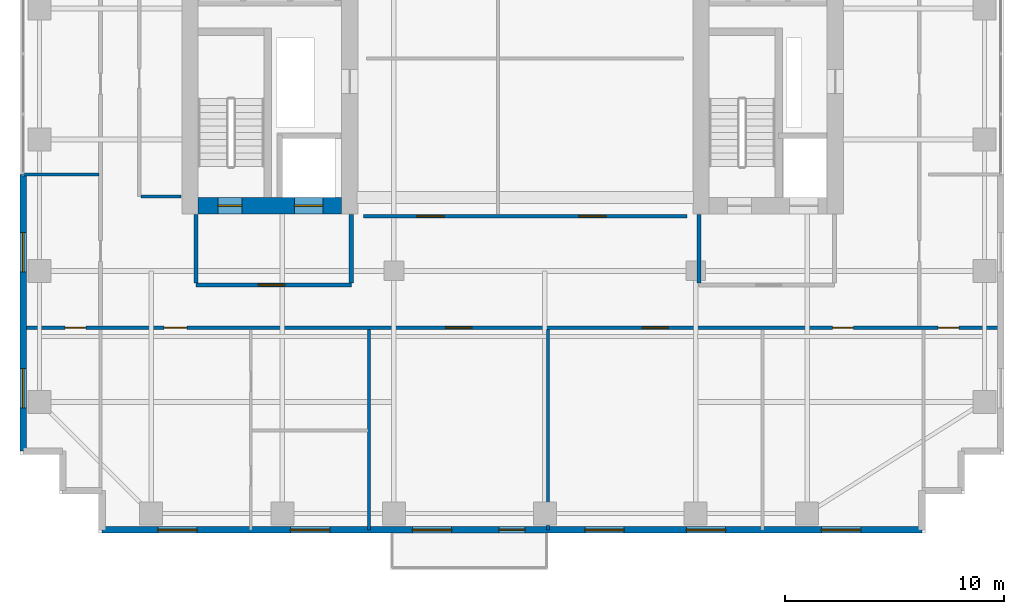
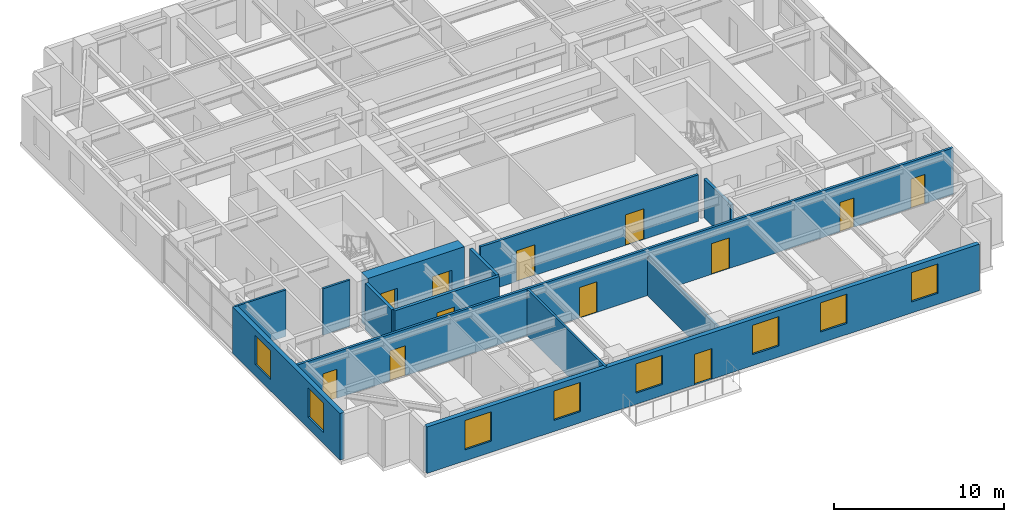
# One storey, part 8 of 14: 13 walls, 12 doors, 8 windows, 20 openings.
"""IFC4 building model written with IfcOpenShell, lengths in metres."""

from ifc_helpers import new_model, si_unit, direction, frame, frame_2d, origin, place, context, subcontext, project, spatial, rectangle, extrude, source, transform, mapped, material, layer, layer_set, type_object, element, fill, save


model = new_model("IFC4")

# Units and contexts
model_context = context("Model", 3, precision=1e-05, world=origin(), true_north=direction((0.0, 1.0)))
body_context = subcontext(model_context, "Body", "Model", "MODEL_VIEW")
ifc_project = project(units=[si_unit("LENGTHUNIT", "METRE"), si_unit("AREAUNIT", "SQUARE_METRE"), si_unit("VOLUMEUNIT", "CUBIC_METRE"), si_unit("PLANEANGLEUNIT", "RADIAN"), si_unit("MASSUNIT", "GRAM", prefix="KILO")], contexts=[model_context])

# Site, building, storey
site_placement = place(None, origin())
site = spatial("IfcSite", under=ifc_project, at=site_placement, CompositionType="ELEMENT")
building_placement = place(site_placement, origin())
building = spatial("IfcBuilding", under=site, at=building_placement, Name="Khoralis Quay Care Tower", CompositionType="ELEMENT")
storey_placement = place(building_placement, frame((0.0, 0.0, 108.89990234375)))
storey = spatial("IfcBuildingStorey", under=building, at=storey_placement, Name="L28", CompositionType="ELEMENT", Elevation=108.89990234375)

# Wall, opening, door
ifc_material_1 = material(Name="Gypsum plasterboard on acoustic metal stud")
ifc_layer_1 = layer(ifc_material_1, 0.199951171875)
ifc_layer_set_1 = layer_set([ifc_layer_1], Name="Gypsum plasterboard on acoustic metal stud")
wall_type_1 = type_object("IfcWallType", Name="WL-COMP-200", PredefinedType="PARTITIONING", material=ifc_layer_set_1)
wall_1_placement = place(storey_placement, frame((8.050048828125, 11.35009765625, 0.0), z_axis=(0.0, 0.0, 1.0), x_axis=(1.0, 0.0, 0.0)))
wall_1 = element("IfcWall", 1, at=wall_1_placement, inside=storey, type_object=wall_type_1, Name="L28 West Firefighting Lobby South Wall", PredefinedType="PARTITIONING", context=body_context, shape_type="SweptSolid", body=[
    extrude(rectangle(XDim=7.099853515625, YDim=0.199951171875, at=frame_2d((3.5498046875, 0.0))), origin(), (0.0, 0.0, 1.0), 3.340087890625),
])
opening_1_placement = place(wall_1_placement, frame((2.846435546875, 0.0, 0.0)))
opening_1 = element("IfcOpeningElement", 2, at=opening_1_placement, cuts=wall_1, Name="Opening FD1", PredefinedType="OPENING", context=body_context, shape_type="SweptSolid", body=[
    extrude(rectangle(XDim=1.199951171875, YDim=2.199951171875, at=frame_2d((0.60009765625, 1.10009765625))), frame((0.0, 0.10986328125, 0.0), z_axis=(0.0, -1.0, 0.0), x_axis=(1.0, 0.0, 0.0)), (0.0, 0.0, 1.0), 0.219970703125),
])
ifc_material_2 = material(Name="Fire-rated painted steel", Category="steel")
door_type_1 = type_object("IfcDoorType", Name="DR-FFL-1200X2200", OperationType="NOTDEFINED", PredefinedType="DOOR", material=ifc_material_2)
shared_shape_1 = source(origin(), body_context, "Body", "SweptSolid", [
    extrude(rectangle(XDim=1.199951171875, YDim=2.199951171875, at=frame_2d((0.60009765625, 1.10009765625))), frame((0.0, 0.02490234375, 0.0), z_axis=(0.0, -1.0, 0.0), x_axis=(1.0, 0.0, 0.0)), (0.0, 0.0, 1.0), 0.050048828125),
])
door_1_placement = place(opening_1_placement, origin())
door_1 = element("IfcDoor", 3, at=door_1_placement, inside=storey, type_object=door_type_1, Name="L28 West Firefighting Lobby Fire Door", OperationType="SINGLE_SWING_RIGHT", OverallHeight=2.199951171875, OverallWidth=1.199951171875, PredefinedType="DOOR", context=body_context, shape_type="MappedRepresentation", body=[
    mapped(shared_shape_1, transform((0.0, 0.0, 0.0), scale=1.0)),
])
fill(opening_1, door_1)

# Walls
for number, where, z_axis, x_axis, name in (
    (4, (8.050048828125, 11.445068359375, 0.0), (0.0, 0.0, 1.0), (0.0, 1.0, 0.0), "L28 West Firefighting Lobby West Wall"),
    (5, (15.14990234375, 11.445068359375, 0.0), (0.0, 0.0, 1.0), (0.0, 1.0, 0.0), "L28 West Firefighting Lobby East Wall"),
):
    element("IfcWall", number, at=place(storey_placement, frame(where, z_axis=z_axis, x_axis=x_axis)), inside=storey, type_object=wall_type_1, Name=name, PredefinedType="PARTITIONING", context=body_context, shape_type="SweptSolid", body=[
        extrude(rectangle(XDim=3.135009765625, YDim=0.199951171875, at=frame_2d((1.5673828125, 0.0))), origin(), (0.0, 0.0, 1.0), 3.340087890625),
    ])
wall_2_placement = place(storey_placement, frame((31.050048828125, 11.445068359375, 0.0), z_axis=(0.0, 0.0, 1.0), x_axis=(0.0, 1.0, 0.0)))
element("IfcWall", 6, at=wall_2_placement, inside=storey, type_object=wall_type_1, Name="L28 East Firefighting Lobby West Wall", PredefinedType="PARTITIONING", context=body_context, shape_type="SweptSolid", body=[
    extrude(rectangle(XDim=3.135009765625, YDim=0.199951171875, at=frame_2d((1.5673828125, 0.0))), origin(), (0.0, 0.0, 1.0), 2.796142578125),
])

# Wall, openings, doors
ifc_material_3 = material(Name="Concrete C80/95", Category="concrete")
ifc_layer_2 = layer(ifc_material_3, 0.75)
ifc_layer_set_2 = layer_set([ifc_layer_2], Name="Concrete C80/95")
wall_type_2 = type_object("IfcWallType", Name="WL-CORE-750", PredefinedType="SHEAR", material=ifc_layer_set_2)
wall_3_placement = place(storey_placement, frame((8.14990234375, 14.97509765625, 0.0), z_axis=(0.0, 0.0, 1.0), x_axis=(1.0, 0.0, 0.0)))
wall_3 = element("IfcWall", 7, at=wall_3_placement, inside=storey, type_object=wall_type_2, Name="L28 WCORE South Shear Wall", PredefinedType="SHEAR", context=body_context, shape_type="SweptSolid", body=[
    extrude(rectangle(XDim=6.550048828125, YDim=0.75, at=frame_2d((3.27490234375, 0.0))), origin(), (0.0, 0.0, 1.0), 3.60009765625),
])
opening_2_placement = place(wall_3_placement, frame((0.89990234375, 0.0, 0.0)))
opening_2 = element("IfcOpeningElement", 8, at=opening_2_placement, cuts=wall_3, Name="Opening SD1", PredefinedType="OPENING", context=body_context, shape_type="SweptSolid", body=[
    extrude(rectangle(XDim=1.10009765625, YDim=2.199951171875, at=frame_2d((0.550048828125, 1.10009765625))), frame((0.0, 0.385009765625, 0.0), z_axis=(0.0, -1.0, 0.0), x_axis=(1.0, 0.0, 0.0)), (0.0, 0.0, 1.0), 0.77001953125),
])
opening_3_placement = place(wall_3_placement, frame((4.39990234375, 0.0, 0.0)))
opening_3 = element("IfcOpeningElement", 9, at=opening_3_placement, cuts=wall_3, Name="Opening LD2", PredefinedType="OPENING", context=body_context, shape_type="SweptSolid", body=[
    extrude(rectangle(XDim=1.300048828125, YDim=2.199951171875, at=frame_2d((0.64990234375, 1.10009765625))), frame((0.0, 0.385009765625, 0.0), z_axis=(0.0, -1.0, 0.0), x_axis=(1.0, 0.0, 0.0)), (0.0, 0.0, 1.0), 0.77001953125),
])
door_type_2 = type_object("IfcDoorType", Name="DR-STAIR-1100X2200", OperationType="NOTDEFINED", PredefinedType="DOOR", material=ifc_material_2)
shared_shape_2 = source(origin(), body_context, "Body", "SweptSolid", [
    extrude(rectangle(XDim=1.10009765625, YDim=2.199951171875, at=frame_2d((0.550048828125, 1.10009765625))), frame((0.0, 0.02490234375, 0.0), z_axis=(0.0, -1.0, 0.0), x_axis=(1.0, 0.0, 0.0)), (0.0, 0.0, 1.0), 0.050048828125),
])
door_2_placement = place(opening_2_placement, origin())
door_2 = element("IfcDoor", 10, at=door_2_placement, inside=storey, type_object=door_type_2, Name="L28 Stair ST-T1 Fire Door", OperationType="SINGLE_SWING_RIGHT", OverallHeight=2.199951171875, OverallWidth=1.10009765625, PredefinedType="DOOR", context=body_context, shape_type="MappedRepresentation", body=[
    mapped(shared_shape_2, transform((0.0, 0.0, 0.0), scale=1.0)),
])
fill(opening_2, door_2)
ifc_material_4 = material(Name="Brushed stainless steel", Category="steel")
door_type_3 = type_object("IfcDoorType", Name="DR-LIFT-1300X2200", OperationType="SLIDING_TO_RIGHT", PredefinedType="DOOR", material=ifc_material_4)
shared_shape_3 = source(origin(), body_context, "Body", "SweptSolid", [
    extrude(rectangle(XDim=1.300048828125, YDim=2.199951171875, at=frame_2d((0.64990234375, 1.10009765625))), frame((0.0, 0.02490234375, 0.0), z_axis=(0.0, -1.0, 0.0), x_axis=(1.0, 0.0, 0.0)), (0.0, 0.0, 1.0), 0.050048828125),
])
door_3_placement = place(opening_3_placement, origin())
door_3 = element("IfcDoor", 11, at=door_3_placement, inside=storey, type_object=door_type_3, Name="L28 Firefighting Lift FFL-1 Landing Door", OperationType="SLIDING_TO_RIGHT", OverallHeight=2.199951171875, OverallWidth=1.300048828125, PredefinedType="DOOR", context=body_context, shape_type="MappedRepresentation", body=[
    mapped(shared_shape_3, transform((0.0, 0.0, 0.0), scale=1.0)),
])
fill(opening_3, door_3)

ifc_layer_3 = layer(ifc_material_1, 0.1650390625)
ifc_layer_set_3 = layer_set([ifc_layer_3], Name="Gypsum plasterboard on acoustic metal stud")
wall_type_3 = type_object("IfcWallType", Name="WL-CORR-165", PredefinedType="PARTITIONING", material=ifc_layer_set_3)
wall_4_placement = place(storey_placement, frame((0.14501953125, 9.39990234375, 0.0), z_axis=(0.0, 0.0, 1.0), x_axis=(1.0, 0.0, 0.0)))
wall_4 = element("IfcWall", 12, at=wall_4_placement, inside=storey, type_object=wall_type_3, Name="L28 South Main Corridor Wall", PredefinedType="PARTITIONING", context=body_context, shape_type="SweptSolid", body=[
    extrude(rectangle(XDim=44.7099609375, YDim=0.1650390625, at=frame_2d((22.35498046875, 0.0))), origin(), (0.0, 0.0, 1.0), 3.340087890625),
])
opening_4_placement = place(wall_4_placement, frame((6.450927734375, 0.0, 0.0)))
opening_4 = element("IfcOpeningElement", 13, at=opening_4_placement, cuts=wall_4, Name="Opening UD1", PredefinedType="OPENING", context=body_context, shape_type="SweptSolid", body=[
    extrude(rectangle(XDim=1.050048828125, YDim=2.14990234375, at=frame_2d((0.52490234375, 1.074951171875))), frame((0.0, 0.092529296875, 0.0), z_axis=(0.0, -1.0, 0.0), x_axis=(1.0, 0.0, 0.0)), (0.0, 0.0, 1.0), 0.18505859375),
])
opening_5_placement = place(wall_4_placement, frame((19.31494140625, 0.0, 0.0)))
opening_5 = element("IfcOpeningElement", 14, at=opening_5_placement, cuts=wall_4, Name="Opening FD1", PredefinedType="OPENING", context=body_context, shape_type="SweptSolid", body=[
    extrude(rectangle(XDim=1.199951171875, YDim=2.199951171875, at=frame_2d((0.60009765625, 1.10009765625))), frame((0.0, 0.092529296875, 0.0), z_axis=(0.0, -1.0, 0.0), x_axis=(1.0, 0.0, 0.0)), (0.0, 0.0, 1.0), 0.18505859375),
])
opening_6_placement = place(wall_4_placement, frame((28.304931640625, 0.0, 0.0)))
opening_6 = element("IfcOpeningElement", 15, at=opening_6_placement, cuts=wall_4, Name="Opening FD1", PredefinedType="OPENING", context=body_context, shape_type="SweptSolid", body=[
    extrude(rectangle(XDim=1.199951171875, YDim=2.199951171875, at=frame_2d((0.60009765625, 1.10009765625))), frame((0.0, 0.092529296875, 0.0), z_axis=(0.0, -1.0, 0.0), x_axis=(1.0, 0.0, 0.0)), (0.0, 0.0, 1.0), 0.18505859375),
])
opening_7_placement = place(wall_4_placement, frame((37.014892578125, 0.0, 0.0)))
opening_7 = element("IfcOpeningElement", 16, at=opening_7_placement, cuts=wall_4, Name="Opening ID1", PredefinedType="OPENING", context=body_context, shape_type="SweptSolid", body=[
    extrude(rectangle(XDim=0.949951171875, YDim=2.10009765625, at=frame_2d((0.47509765625, 1.050048828125))), frame((0.0, 0.092529296875, 0.0), z_axis=(0.0, -1.0, 0.0), x_axis=(1.0, 0.0, 0.0)), (0.0, 0.0, 1.0), 0.18505859375),
])
opening_8_placement = place(wall_4_placement, frame((1.919921875, 0.0, 0.0)))
opening_8 = element("IfcOpeningElement", 17, at=opening_8_placement, cuts=wall_4, Name="Opening ID1", PredefinedType="OPENING", context=body_context, shape_type="SweptSolid", body=[
    extrude(rectangle(XDim=0.949951171875, YDim=2.10009765625, at=frame_2d((0.47509765625, 1.050048828125))), frame((0.0, 0.092529296875, 0.0), z_axis=(0.0, -1.0, 0.0), x_axis=(1.0, 0.0, 0.0)), (0.0, 0.0, 1.0), 0.18505859375),
])
opening_9_placement = place(wall_4_placement, frame((41.840087890625, 0.0, 0.0)))
opening_9 = element("IfcOpeningElement", 18, at=opening_9_placement, cuts=wall_4, Name="Opening ID1", PredefinedType="OPENING", context=body_context, shape_type="SweptSolid", body=[
    extrude(rectangle(XDim=0.949951171875, YDim=2.10009765625, at=frame_2d((0.47509765625, 1.050048828125))), frame((0.0, 0.092529296875, 0.0), z_axis=(0.0, -1.0, 0.0), x_axis=(1.0, 0.0, 0.0)), (0.0, 0.0, 1.0), 0.18505859375),
])
door_4_placement = place(opening_5_placement, frame((1.199951171875, 0.0, 0.0), z_axis=(0.0, 0.0, 1.0), x_axis=(-1.0, 0.0, 0.0)))
door_4 = element("IfcDoor", 19, at=door_4_placement, inside=storey, type_object=door_type_1, Name="L28 Assisted Communal Dining Room Door", OperationType="DOUBLE_DOOR_SINGLE_SWING", OverallHeight=2.199951171875, OverallWidth=1.199951171875, PredefinedType="DOOR", context=body_context, shape_type="MappedRepresentation", body=[
    mapped(shared_shape_1, transform((0.0, 0.0, 0.0), scale=1.0)),
])
fill(opening_5, door_4)
door_5_placement = place(opening_6_placement, frame((1.199951171875, 0.0, 0.0), z_axis=(0.0, 0.0, 1.0), x_axis=(-1.0, 0.0, 0.0)))
door_5 = element("IfcDoor", 20, at=door_5_placement, inside=storey, type_object=door_type_1, Name="L28 Senior Wellness Pharmacy Shop Door", OperationType="DOUBLE_DOOR_SINGLE_SWING", OverallHeight=2.199951171875, OverallWidth=1.199951171875, PredefinedType="DOOR", context=body_context, shape_type="MappedRepresentation", body=[
    mapped(shared_shape_1, transform((0.0, 0.0, 0.0), scale=1.0)),
])
fill(opening_6, door_5)
ifc_material_5 = material(Name="Acoustic hardwood timber", Category="wood")
door_type_4 = type_object("IfcDoorType", Name="DR-ROOM-950X2100", OperationType="NOTDEFINED", PredefinedType="DOOR", material=ifc_material_5)
shared_shape_4 = source(origin(), body_context, "Body", "SweptSolid", [
    extrude(rectangle(XDim=0.949951171875, YDim=2.10009765625, at=frame_2d((0.47509765625, 1.050048828125))), frame((0.0, 0.02490234375, 0.0), z_axis=(0.0, -1.0, 0.0), x_axis=(1.0, 0.0, 0.0)), (0.0, 0.0, 1.0), 0.050048828125),
])
door_6_placement = place(opening_7_placement, frame((0.949951171875, 0.0, 0.0), z_axis=(0.0, 0.0, 1.0), x_axis=(-1.0, 0.0, 0.0)))
door_6 = element("IfcDoor", 21, at=door_6_placement, inside=storey, type_object=door_type_4, Name="L28 Care Coordination Office Door", OperationType="SINGLE_SWING_RIGHT", OverallHeight=2.10009765625, OverallWidth=0.949951171875, PredefinedType="DOOR", context=body_context, shape_type="MappedRepresentation", body=[
    mapped(shared_shape_4, transform((0.0, 0.0, 0.0), scale=1.0)),
])
fill(opening_7, door_6)
door_7_placement = place(opening_8_placement, frame((0.949951171875, 0.0, 0.0), z_axis=(0.0, 0.0, 1.0), x_axis=(-1.0, 0.0, 0.0)))
door_7 = element("IfcDoor", 22, at=door_7_placement, inside=storey, type_object=door_type_4, Name="L28 SW Corner Door", OperationType="SINGLE_SWING_LEFT", OverallHeight=2.10009765625, OverallWidth=0.949951171875, PredefinedType="DOOR", context=body_context, shape_type="MappedRepresentation", body=[
    mapped(shared_shape_4, transform((0.0, 0.0, 0.0), scale=1.0)),
])
fill(opening_8, door_7)
door_8_placement = place(opening_9_placement, frame((0.949951171875, 0.0, 0.0), z_axis=(0.0, 0.0, 1.0), x_axis=(-1.0, 0.0, 0.0)))
door_8 = element("IfcDoor", 23, at=door_8_placement, inside=storey, type_object=door_type_4, Name="L28 SE Corner Door", OperationType="SINGLE_SWING_RIGHT", OverallHeight=2.10009765625, OverallWidth=0.949951171875, PredefinedType="DOOR", context=body_context, shape_type="MappedRepresentation", body=[
    mapped(shared_shape_4, transform((0.0, 0.0, 0.0), scale=1.0)),
])
fill(opening_9, door_8)
door_type_5 = type_object("IfcDoorType", Name="DR-SUITE-1050X2150", OperationType="NOTDEFINED", PredefinedType="DOOR", material=ifc_material_5)
shared_shape_5 = source(origin(), body_context, "Body", "SweptSolid", [
    extrude(rectangle(XDim=1.050048828125, YDim=2.14990234375, at=frame_2d((0.52490234375, 1.074951171875))), frame((0.0, 0.02490234375, 0.0), z_axis=(0.0, -1.0, 0.0), x_axis=(1.0, 0.0, 0.0)), (0.0, 0.0, 1.0), 0.050048828125),
])
door_9_placement = place(opening_4_placement, frame((1.050048828125, 0.0, 0.0), z_axis=(0.0, 0.0, 1.0), x_axis=(-1.0, 0.0, 0.0)))
door_9 = element("IfcDoor", 24, at=door_9_placement, inside=storey, type_object=door_type_5, Name="L28 Studio SB0 Entrance", OperationType="SINGLE_SWING_RIGHT", OverallHeight=2.14990234375, OverallWidth=1.050048828125, PredefinedType="DOOR", context=body_context, shape_type="MappedRepresentation", body=[
    mapped(shared_shape_5, transform((0.0, 0.0, 0.0), scale=1.0)),
])
fill(opening_4, door_9)

wall_5_placement = place(storey_placement, frame((15.699951171875, 14.5, 0.0), z_axis=(0.0, 0.0, 1.0), x_axis=(1.0, 0.0, 0.0)))
wall_5 = element("IfcWall", 25, at=wall_5_placement, inside=storey, type_object=wall_type_3, Name="L28 Central Clinical South Wall", PredefinedType="PARTITIONING", context=body_context, shape_type="SweptSolid", body=[
    extrude(rectangle(XDim=14.800048828125, YDim=0.1650390625, at=frame_2d((7.39990234375, 0.0))), origin(), (0.0, 0.0, 1.0), 3.340087890625),
])
opening_10_placement = place(wall_5_placement, frame((2.449951171875, 0.0, 0.0)))
opening_10 = element("IfcOpeningElement", 26, at=opening_10_placement, cuts=wall_5, Name="Opening CD1", PredefinedType="OPENING", context=body_context, shape_type="SweptSolid", body=[
    extrude(rectangle(XDim=1.25, YDim=2.199951171875, at=frame_2d((0.625, 1.10009765625))), frame((0.0, 0.092529296875, 0.0), z_axis=(0.0, -1.0, 0.0), x_axis=(1.0, 0.0, 0.0)), (0.0, 0.0, 1.0), 0.18505859375),
])
opening_11_placement = place(wall_5_placement, frame((9.85009765625, 0.0, 0.0)))
opening_11 = element("IfcOpeningElement", 27, at=opening_11_placement, cuts=wall_5, Name="Opening CD1", PredefinedType="OPENING", context=body_context, shape_type="SweptSolid", body=[
    extrude(rectangle(XDim=1.25, YDim=2.199951171875, at=frame_2d((0.625, 1.10009765625))), frame((0.0, 0.092529296875, 0.0), z_axis=(0.0, -1.0, 0.0), x_axis=(1.0, 0.0, 0.0)), (0.0, 0.0, 1.0), 0.18505859375),
])
door_type_6 = type_object("IfcDoorType", Name="DR-CARE-1250X2200", OperationType="NOTDEFINED", PredefinedType="DOOR", material=ifc_material_5)
shared_shape_6 = source(origin(), body_context, "Body", "SweptSolid", [
    extrude(rectangle(XDim=1.25, YDim=2.199951171875, at=frame_2d((0.625, 1.10009765625))), frame((0.0, 0.02490234375, 0.0), z_axis=(0.0, -1.0, 0.0), x_axis=(1.0, 0.0, 0.0)), (0.0, 0.0, 1.0), 0.050048828125),
])
door_10_placement = place(opening_10_placement, origin())
door_10 = element("IfcDoor", 28, at=door_10_placement, inside=storey, type_object=door_type_6, Name="L28 Nurse Station Door", OperationType="SINGLE_SWING_LEFT", OverallHeight=2.199951171875, OverallWidth=1.25, PredefinedType="DOOR", context=body_context, shape_type="MappedRepresentation", body=[
    mapped(shared_shape_6, transform((0.0, 0.0, 0.0), scale=1.0)),
])
fill(opening_10, door_10)
door_11_placement = place(opening_11_placement, origin())
door_11 = element("IfcDoor", 29, at=door_11_placement, inside=storey, type_object=door_type_6, Name="L28 Treatment Clinic Door", OperationType="SINGLE_SWING_RIGHT", OverallHeight=2.199951171875, OverallWidth=1.25, PredefinedType="DOOR", context=body_context, shape_type="MappedRepresentation", body=[
    mapped(shared_shape_6, transform((0.0, 0.0, 0.0), scale=1.0)),
])
fill(opening_11, door_11)

# Wall, openings, windows, door
ifc_material_6 = material(Name="Precast concrete C45/55", Category="concrete")
ifc_layer_4 = layer(ifc_material_6, 0.300048828125)
ifc_layer_set_4 = layer_set([ifc_layer_4], Name="Precast concrete C45/55")
wall_type_4 = type_object("IfcWallType", Name="WL-EXT-REF-300", PredefinedType="SOLIDWALL", material=ifc_layer_set_4)
wall_6_placement = place(storey_placement, frame((3.75, 0.14990234375, 0.0), z_axis=(0.0, 0.0, 1.0), x_axis=(1.0, 0.0, 0.0)))
wall_6 = element("IfcWall", 30, at=wall_6_placement, inside=storey, type_object=wall_type_4, Name="L28 External Facade Wall WL-EXT-L28-P1-E0", PredefinedType="SOLIDWALL", context=body_context, shape_type="SweptSolid", body=[
    extrude(rectangle(XDim=37.5, YDim=0.300048828125, at=frame_2d((18.75, 0.0))), origin(), (0.0, 0.0, 1.0), 3.340087890625),
])
opening_12_placement = place(wall_6_placement, frame((2.555908203125, 0.0, 0.800048828125)))
opening_12 = element("IfcOpeningElement", 31, at=opening_12_placement, cuts=wall_6, Name="Opening W2", PredefinedType="OPENING", context=body_context, shape_type="SweptSolid", body=[
    extrude(rectangle(XDim=1.800048828125, YDim=2.10009765625, at=frame_2d((0.89990234375, 1.050048828125))), frame((0.0, 0.16015625, 0.0), z_axis=(0.0, -1.0, 0.0), x_axis=(1.0, 0.0, 0.0)), (0.0, 0.0, 1.0), 0.320068359375),
])
opening_13_placement = place(wall_6_placement, frame((8.615966796875, 0.0, 0.800048828125)))
opening_13 = element("IfcOpeningElement", 32, at=opening_13_placement, cuts=wall_6, Name="Opening W2", PredefinedType="OPENING", context=body_context, shape_type="SweptSolid", body=[
    extrude(rectangle(XDim=1.800048828125, YDim=2.10009765625, at=frame_2d((0.89990234375, 1.050048828125))), frame((0.0, 0.16015625, 0.0), z_axis=(0.0, -1.0, 0.0), x_axis=(1.0, 0.0, 0.0)), (0.0, 0.0, 1.0), 0.320068359375),
])
opening_14_placement = place(wall_6_placement, frame((14.18994140625, 0.0, 0.800048828125)))
opening_14 = element("IfcOpeningElement", 33, at=opening_14_placement, cuts=wall_6, Name="Opening W2", PredefinedType="OPENING", context=body_context, shape_type="SweptSolid", body=[
    extrude(rectangle(XDim=1.800048828125, YDim=2.10009765625, at=frame_2d((0.89990234375, 1.050048828125))), frame((0.0, 0.16015625, 0.0), z_axis=(0.0, -1.0, 0.0), x_axis=(1.0, 0.0, 0.0)), (0.0, 0.0, 1.0), 0.320068359375),
])
opening_15_placement = place(wall_6_placement, frame((22.080078125, 0.0, 0.800048828125)))
opening_15 = element("IfcOpeningElement", 34, at=opening_15_placement, cuts=wall_6, Name="Opening W2", PredefinedType="OPENING", context=body_context, shape_type="SweptSolid", body=[
    extrude(rectangle(XDim=1.800048828125, YDim=2.10009765625, at=frame_2d((0.89990234375, 1.050048828125))), frame((0.0, 0.16015625, 0.0), z_axis=(0.0, -1.0, 0.0), x_axis=(1.0, 0.0, 0.0)), (0.0, 0.0, 1.0), 0.320068359375),
])
opening_16_placement = place(wall_6_placement, frame((26.719970703125, 0.0, 0.800048828125)))
opening_16 = element("IfcOpeningElement", 35, at=opening_16_placement, cuts=wall_6, Name="Opening W2", PredefinedType="OPENING", context=body_context, shape_type="SweptSolid", body=[
    extrude(rectangle(XDim=1.800048828125, YDim=2.10009765625, at=frame_2d((0.89990234375, 1.050048828125))), frame((0.0, 0.16015625, 0.0), z_axis=(0.0, -1.0, 0.0), x_axis=(1.0, 0.0, 0.0)), (0.0, 0.0, 1.0), 0.320068359375),
])
opening_17_placement = place(wall_6_placement, frame((32.89990234375, 0.0, 0.800048828125)))
opening_17 = element("IfcOpeningElement", 36, at=opening_17_placement, cuts=wall_6, Name="Opening W2", PredefinedType="OPENING", context=body_context, shape_type="SweptSolid", body=[
    extrude(rectangle(XDim=1.800048828125, YDim=2.10009765625, at=frame_2d((0.89990234375, 1.050048828125))), frame((0.0, 0.16015625, 0.0), z_axis=(0.0, -1.0, 0.0), x_axis=(1.0, 0.0, 0.0)), (0.0, 0.0, 1.0), 0.320068359375),
])
opening_18_placement = place(wall_6_placement, frame((18.14990234375, 0.0, 0.0)))
opening_18 = element("IfcOpeningElement", 37, at=opening_18_placement, cuts=wall_6, Name="Opening BD1", PredefinedType="OPENING", context=body_context, shape_type="SweptSolid", body=[
    extrude(rectangle(XDim=1.199951171875, YDim=2.199951171875, at=frame_2d((0.60009765625, 1.10009765625))), frame((0.0, 0.16015625, 0.0), z_axis=(0.0, -1.0, 0.0), x_axis=(1.0, 0.0, 0.0)), (0.0, 0.0, 1.0), 0.320068359375),
])
ifc_material_7 = material(Name="Low-E solar-control double glazing", Category="glass")
window_type = type_object("IfcWindowType", Name="WN-POD-1800X2100", PartitioningType="SINGLE_PANEL", PredefinedType="WINDOW", material=ifc_material_7)
shared_shape_7 = source(origin(), body_context, "Body", "SweptSolid", [
    extrude(rectangle(XDim=1.800048828125, YDim=2.10009765625, at=frame_2d((0.89990234375, 1.050048828125))), frame((0.0, 0.030029296875, 0.0), z_axis=(0.0, -1.0, 0.0), x_axis=(1.0, 0.0, 0.0)), (0.0, 0.0, 1.0), 0.06005859375),
])
window_1_placement = place(opening_12_placement, origin())
window_1 = element("IfcWindow", 38, at=window_1_placement, inside=storey, type_object=window_type, Name="WN-L28-P1-E0 Facade Window 01", OverallHeight=2.10009765625, OverallWidth=1.800048828125, PartitioningType="SINGLE_PANEL", PredefinedType="WINDOW", context=body_context, shape_type="MappedRepresentation", body=[
    mapped(shared_shape_7, transform((0.0, 0.0, 0.0), scale=1.0)),
])
fill(opening_12, window_1)
window_2_placement = place(opening_13_placement, origin())
window_2 = element("IfcWindow", 39, at=window_2_placement, inside=storey, type_object=window_type, Name="WN-L28-P1-E0 Facade Window 02", OverallHeight=2.10009765625, OverallWidth=1.800048828125, PartitioningType="SINGLE_PANEL", PredefinedType="WINDOW", context=body_context, shape_type="MappedRepresentation", body=[
    mapped(shared_shape_7, transform((0.0, 0.0, 0.0), scale=1.0)),
])
fill(opening_13, window_2)
window_3_placement = place(opening_14_placement, origin())
window_3 = element("IfcWindow", 40, at=window_3_placement, inside=storey, type_object=window_type, Name="WN-L28-P1-E0 Facade Window 03", OverallHeight=2.10009765625, OverallWidth=1.800048828125, PartitioningType="SINGLE_PANEL", PredefinedType="WINDOW", context=body_context, shape_type="MappedRepresentation", body=[
    mapped(shared_shape_7, transform((0.0, 0.0, 0.0), scale=1.0)),
])
fill(opening_14, window_3)
window_4_placement = place(opening_15_placement, origin())
window_4 = element("IfcWindow", 41, at=window_4_placement, inside=storey, type_object=window_type, Name="WN-L28-P1-E0 Facade Window 04", OverallHeight=2.10009765625, OverallWidth=1.800048828125, PartitioningType="SINGLE_PANEL", PredefinedType="WINDOW", context=body_context, shape_type="MappedRepresentation", body=[
    mapped(shared_shape_7, transform((0.0, 0.0, 0.0), scale=1.0)),
])
fill(opening_15, window_4)
window_5_placement = place(opening_16_placement, origin())
window_5 = element("IfcWindow", 42, at=window_5_placement, inside=storey, type_object=window_type, Name="WN-L28-P1-E0 Facade Window 05", OverallHeight=2.10009765625, OverallWidth=1.800048828125, PartitioningType="SINGLE_PANEL", PredefinedType="WINDOW", context=body_context, shape_type="MappedRepresentation", body=[
    mapped(shared_shape_7, transform((0.0, 0.0, 0.0), scale=1.0)),
])
fill(opening_16, window_5)
window_6_placement = place(opening_17_placement, origin())
window_6 = element("IfcWindow", 43, at=window_6_placement, inside=storey, type_object=window_type, Name="WN-L28-P1-E0 Facade Window 06", OverallHeight=2.10009765625, OverallWidth=1.800048828125, PartitioningType="SINGLE_PANEL", PredefinedType="WINDOW", context=body_context, shape_type="MappedRepresentation", body=[
    mapped(shared_shape_7, transform((0.0, 0.0, 0.0), scale=1.0)),
])
fill(opening_17, window_6)
ifc_material_8 = material(Name="Anodised aluminium and laminated safety glass", Category="aluminium")
door_type_7 = type_object("IfcDoorType", Name="DR-EXT-BALC-1200X2200", OperationType="NOTDEFINED", PredefinedType="DOOR", material=ifc_material_8)
shared_shape_8 = source(origin(), body_context, "Body", "SweptSolid", [
    extrude(rectangle(XDim=1.199951171875, YDim=2.199951171875, at=frame_2d((0.60009765625, 1.10009765625))), frame((0.0, 0.02490234375, 0.0), z_axis=(0.0, -1.0, 0.0), x_axis=(1.0, 0.0, 0.0)), (0.0, 0.0, 1.0), 0.050048828125),
])
door_12_placement = place(opening_18_placement, frame((1.199951171875, 0.0, 0.0), z_axis=(0.0, 0.0, 1.0), x_axis=(-1.0, 0.0, 0.0)))
door_12 = element("IfcDoor", 44, at=door_12_placement, inside=storey, type_object=door_type_7, Name="L28 Senior Loggia Balcony Door", OperationType="SINGLE_SWING_LEFT", OverallHeight=2.199951171875, OverallWidth=1.199951171875, PredefinedType="DOOR", context=body_context, shape_type="MappedRepresentation", body=[
    mapped(shared_shape_8, transform((0.0, 0.0, 0.0), scale=1.0)),
])
fill(opening_18, door_12)

# Wall, openings, windows
wall_7_placement = place(storey_placement, frame((0.14990234375, 16.39990234375, 0.0), z_axis=(0.0, 0.0, 1.0), x_axis=(0.0, -1.0, 0.0)))
wall_7 = element("IfcWall", 45, at=wall_7_placement, inside=storey, type_object=wall_type_4, Name="L28 External Facade Wall WL-EXT-L28-P1-E15B", PredefinedType="SOLIDWALL", context=body_context, shape_type="SweptSolid", body=[
    extrude(rectangle(XDim=12.64990234375, YDim=0.300048828125, at=frame_2d((6.324951171875, 0.0))), origin(), (0.0, 0.0, 1.0), 3.340087890625),
])
opening_19_placement = place(wall_7_placement, frame((2.64990234375, 0.0, 0.800048828125)))
opening_19 = element("IfcOpeningElement", 46, at=opening_19_placement, cuts=wall_7, Name="Opening W2", PredefinedType="OPENING", context=body_context, shape_type="SweptSolid", body=[
    extrude(rectangle(XDim=1.800048828125, YDim=2.10009765625, at=frame_2d((0.89990234375, 1.050048828125))), frame((0.0, 0.16015625, 0.0), z_axis=(0.0, -1.0, 0.0), x_axis=(1.0, 0.0, 0.0)), (0.0, 0.0, 1.0), 0.320068359375),
])
opening_20_placement = place(wall_7_placement, frame((8.875, 0.0, 0.800048828125)))
opening_20 = element("IfcOpeningElement", 47, at=opening_20_placement, cuts=wall_7, Name="Opening W2", PredefinedType="OPENING", context=body_context, shape_type="SweptSolid", body=[
    extrude(rectangle(XDim=1.800048828125, YDim=2.10009765625, at=frame_2d((0.89990234375, 1.050048828125))), frame((0.0, 0.16015625, 0.0), z_axis=(0.0, -1.0, 0.0), x_axis=(1.0, 0.0, 0.0)), (0.0, 0.0, 1.0), 0.320068359375),
])
window_7_placement = place(opening_19_placement, origin())
window_7 = element("IfcWindow", 48, at=window_7_placement, inside=storey, type_object=window_type, Name="WN-L28-P1-E15B Facade Window 01", OverallHeight=2.10009765625, OverallWidth=1.800048828125, PartitioningType="SINGLE_PANEL", PredefinedType="WINDOW", context=body_context, shape_type="MappedRepresentation", body=[
    mapped(shared_shape_7, transform((0.0, 0.0, 0.0), scale=1.0)),
])
fill(opening_19, window_7)
window_8_placement = place(opening_20_placement, origin())
window_8 = element("IfcWindow", 49, at=window_8_placement, inside=storey, type_object=window_type, Name="WN-L28-P1-E15B Facade Window 02", OverallHeight=2.10009765625, OverallWidth=1.800048828125, PartitioningType="SINGLE_PANEL", PredefinedType="WINDOW", context=body_context, shape_type="MappedRepresentation", body=[
    mapped(shared_shape_7, transform((0.0, 0.0, 0.0), scale=1.0)),
])
fill(opening_20, window_8)

# Walls
ifc_layer_5 = layer(ifc_material_1, 0.139892578125)
ifc_layer_set_5 = layer_set([ifc_layer_5], Name="Gypsum plasterboard on acoustic metal stud")
wall_type_5 = type_object("IfcWallType", Name="WL-UNIT-140", PredefinedType="PARTITIONING", material=ifc_layer_set_5)
wall_8_placement = place(storey_placement, frame((5.527587890625, 15.39990234375, 0.0), z_axis=(0.0, 0.0, 1.0), x_axis=(1.0, 0.0, 0.0)))
element("IfcWall", 50, at=wall_8_placement, inside=storey, type_object=wall_type_5, Name="L28 West Flank South Cap", PredefinedType="PARTITIONING", context=body_context, shape_type="SweptSolid", body=[
    extrude(rectangle(XDim=1.83251953125, YDim=0.139892578125, at=frame_2d((0.916259765625, 0.0))), origin(), (0.0, 0.0, 1.0), 3.340087890625),
])
wall_9_placement = place(storey_placement, frame((0.14501953125, 16.39990234375, 0.0), z_axis=(0.0, 0.0, 1.0), x_axis=(1.0, 0.0, 0.0)))
element("IfcWall", 51, at=wall_9_placement, inside=storey, type_object=wall_type_5, Name="L28 WW Divider 1", PredefinedType="PARTITIONING", context=body_context, shape_type="SweptSolid", body=[
    extrude(rectangle(XDim=3.45751953125, YDim=0.139892578125, at=frame_2d((1.728759765625, 0.0))), origin(), (0.0, 0.0, 1.0), 3.340087890625),
])
wall_10_placement = place(storey_placement, frame((15.969970703125, 0.14501953125, 0.0), z_axis=(0.0, 0.0, 1.0), x_axis=(0.0, 1.0, 0.0)))
element("IfcWall", 52, at=wall_10_placement, inside=storey, type_object=wall_type_5, Name="L28 SB Demising Wall 1", PredefinedType="PARTITIONING", context=body_context, shape_type="SweptSolid", body=[
    extrude(rectangle(XDim=9.177490234375, YDim=0.139892578125, at=frame_2d((4.5888671875, 0.0))), origin(), (0.0, 0.0, 1.0), 3.340087890625),
])
wall_11_placement = place(storey_placement, frame((24.14990234375, 0.14501953125, 0.0), z_axis=(0.0, 0.0, 1.0), x_axis=(0.0, 1.0, 0.0)))
element("IfcWall", 53, at=wall_11_placement, inside=storey, type_object=wall_type_5, Name="L28 SB Demising Wall 2", PredefinedType="PARTITIONING", context=body_context, shape_type="SweptSolid", body=[
    extrude(rectangle(XDim=9.177490234375, YDim=0.139892578125, at=frame_2d((4.5888671875, 0.0))), origin(), (0.0, 0.0, 1.0), 2.796142578125),
])

save(model, "model.ifc")
